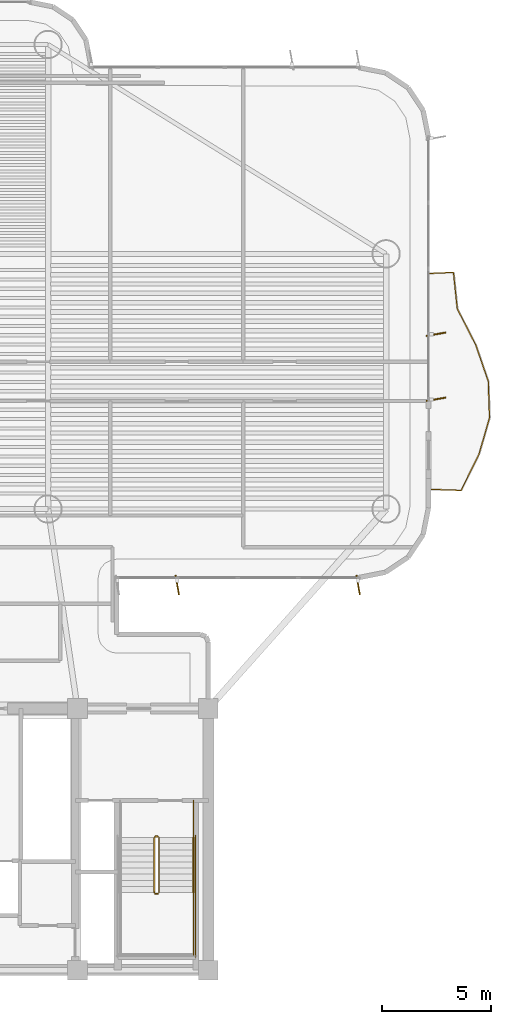
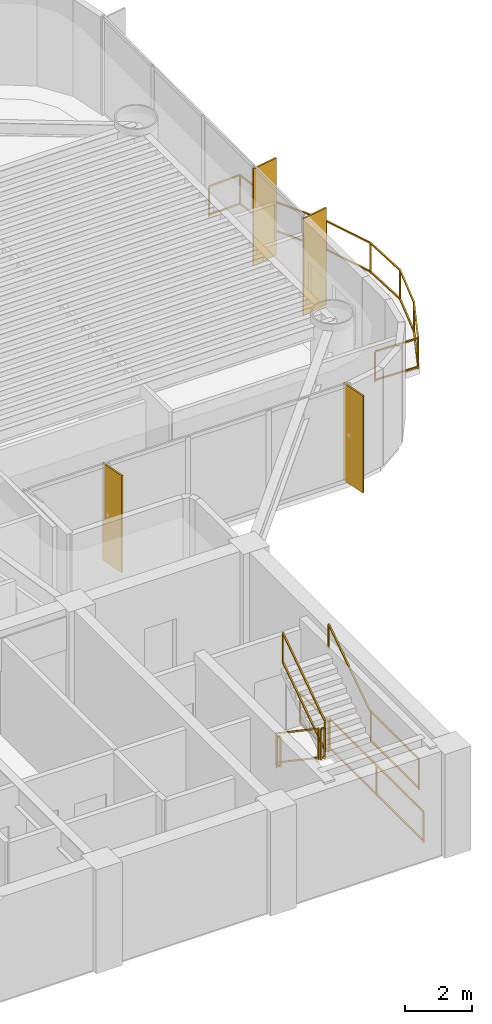
# One storey, part 15 of 16: 9 railings, 4 shading devices.
"""IFC4 building model written with IfcOpenShell, lengths in metres."""

from ifc_helpers import new_model, si_unit, direction, frame, origin, origin_2d, place, context, subcontext, project, spatial, rectangle, extrude, source, transform, mapped, material, layer, layer_set, material_profile, profile_set, type_object, element, save


model = new_model("IFC4")

# Units and contexts
model_context = context("Model", 3, precision=1e-05, world=origin(), true_north=direction((0.0, 1.0)))
body_context = subcontext(model_context, "Body", "Model", "MODEL_VIEW")
ifc_project = project(units=[si_unit("LENGTHUNIT", "METRE"), si_unit("AREAUNIT", "SQUARE_METRE"), si_unit("VOLUMEUNIT", "CUBIC_METRE"), si_unit("PLANEANGLEUNIT", "RADIAN"), si_unit("MASSUNIT", "GRAM", prefix="KILO")], contexts=[model_context])

# Site, building, storey
site_placement = place(None, origin())
site = spatial("IfcSite", under=ifc_project, at=site_placement, CompositionType="ELEMENT")
building_placement = place(site_placement, origin())
building = spatial("IfcBuilding", under=site, at=building_placement, Name="Brelvock Crest Care Tower", CompositionType="ELEMENT")
storey_placement = place(building_placement, frame((0.0, 0.0, 112.5)))
storey = spatial("IfcBuildingStorey", under=building, at=storey_placement, Name="L28", CompositionType="ELEMENT", Elevation=112.5)

# Railings
ifc_material_1 = material(Name="Dark Glass Double Glazed Low-E", Category="glass")
ifc_layer_1 = layer(ifc_material_1, 0.06005859375, Name="RL-BAL1")
ifc_layer_set_1 = layer_set([ifc_layer_1], Name="Dark Glass Double Glazed Low-E")
railing_type_1 = type_object("IfcRailingType", Name="RL-BAL1", PredefinedType="BALUSTRADE", material=ifc_layer_set_1)
railing_1_placement = place(storey_placement, frame((58.139892578125, 28.050048828125, 0.00390625)))
element("IfcRailing", 1, at=railing_1_placement, inside=storey, type_object=railing_type_1, Name="L28 Safety Balustrade WB-E", PredefinedType="BALUSTRADE", context=body_context, shape_type="SweptSolid", body=[
    extrude(rectangle(XDim=0.048095703125, YDim=0.048095703125, at=origin_2d()), frame((0.001953125, 0.0, 1.09619140625), z_axis=(0.999404999824, -0.034491249994, 0.0), x_axis=(0.034491249994, 0.999404999824, 0.0)), (0.0, 0.0, 1.0), 1.447021484375),
    extrude(rectangle(XDim=0.048095703125, YDim=0.048095703125, at=origin_2d()), frame((0.001953125, 0.0, 0.054931640625), z_axis=(0.999404999824, -0.034491249994, 0.0), x_axis=(0.034491249994, 0.999404999824, 0.0)), (0.0, 0.0, 1.0), 1.447021484375),
    extrude(rectangle(XDim=0.048095703125, YDim=0.048095703125, at=origin_2d()), frame((1.451171875, -0.04833984375, 1.09619140625), z_axis=(0.442214310765, 0.896909417586, 0.0), x_axis=(-0.896909417586, 0.442214310765, 0.0)), (0.0, 0.0, 1.0), 1.854248046875),
    extrude(rectangle(XDim=0.048095703125, YDim=0.048095703125, at=origin_2d()), frame((1.451171875, -0.04833984375, 0.054931640625), z_axis=(0.442214310765, 0.896909417586, 0.0), x_axis=(-0.896909417586, 0.442214310765, 0.0)), (0.0, 0.0, 1.0), 1.854248046875),
    extrude(rectangle(XDim=0.048095703125, YDim=0.048095703125, at=origin_2d()), frame((2.2724609375, 1.61865234375, 1.09619140625), z_axis=(0.277935062116, 0.960599865317, 0.0), x_axis=(-0.960599865317, 0.277935062116, 0.0)), (0.0, 0.0, 1.0), 1.73095703125),
    extrude(rectangle(XDim=0.048095703125, YDim=0.048095703125, at=origin_2d()), frame((2.2724609375, 1.61865234375, 0.054931640625), z_axis=(0.277935062116, 0.960599865317, 0.0), x_axis=(-0.960599865317, 0.277935062116, 0.0)), (0.0, 0.0, 1.0), 1.73095703125),
    extrude(rectangle(XDim=0.048095703125, YDim=0.048095703125, at=origin_2d()), frame((2.754150390625, 3.28515625, 1.09619140625), z_axis=(-0.034109333385, 0.999418107388, 0.0), x_axis=(-0.999418107388, -0.034109333385, 0.0)), (0.0, 0.0, 1.0), 1.663818359375),
    extrude(rectangle(XDim=0.048095703125, YDim=0.048095703125, at=origin_2d()), frame((2.754150390625, 3.28515625, 0.054931640625), z_axis=(-0.034109333385, 0.999418107388, 0.0), x_axis=(-0.999418107388, -0.034109333385, 0.0)), (0.0, 0.0, 1.0), 1.663818359375),
    extrude(rectangle(XDim=0.048095703125, YDim=0.048095703125, at=origin_2d()), frame((2.696533203125, 4.951904296875, 1.09619140625), z_axis=(-0.324735154132, 0.945804990297, 0.0), x_axis=(-0.945804990297, -0.324735154132, 0.0)), (0.0, 0.0, 1.0), 1.75830078125),
    extrude(rectangle(XDim=0.048095703125, YDim=0.048095703125, at=origin_2d()), frame((2.696533203125, 4.951904296875, 0.054931640625), z_axis=(-0.324735154132, 0.945804990297, 0.0), x_axis=(-0.945804990297, -0.324735154132, 0.0)), (0.0, 0.0, 1.0), 1.75830078125),
    extrude(rectangle(XDim=0.048095703125, YDim=0.048095703125, at=origin_2d()), frame((2.1240234375, 6.618408203125, 1.09619140625), z_axis=(-0.454816788854, 0.890585026023, 0.0), x_axis=(-0.890585026023, -0.454816788854, 0.0)), (0.0, 0.0, 1.0), 1.8671875),
    extrude(rectangle(XDim=0.048095703125, YDim=0.048095703125, at=origin_2d()), frame((2.1240234375, 6.618408203125, 0.054931640625), z_axis=(-0.454816788854, 0.890585026023, 0.0), x_axis=(-0.890585026023, -0.454816788854, 0.0)), (0.0, 0.0, 1.0), 1.8671875),
    extrude(rectangle(XDim=0.048095703125, YDim=0.048095703125, at=origin_2d()), frame((1.273681640625, 8.28515625, 1.09619140625), z_axis=(-0.103729188721, 0.994605577808, 0.0), x_axis=(-0.994605577808, -0.103729188721, 0.0)), (0.0, 0.0, 1.0), 1.671875),
    extrude(rectangle(XDim=0.048095703125, YDim=0.048095703125, at=origin_2d()), frame((1.273681640625, 8.28515625, 0.054931640625), z_axis=(-0.103729188721, 0.994605577808, 0.0), x_axis=(-0.994605577808, -0.103729188721, 0.0)), (0.0, 0.0, 1.0), 1.671875),
    extrude(rectangle(XDim=0.048095703125, YDim=0.048095703125, at=origin_2d()), frame((1.09814453125, 9.949951171875, 1.09619140625), z_axis=(-0.998966710972, -0.045447886318, 0.0), x_axis=(0.045447886318, -0.998966710972, 0.0)), (0.0, 0.0, 1.0), 1.09716796875),
    extrude(rectangle(XDim=0.048095703125, YDim=0.048095703125, at=origin_2d()), frame((1.09814453125, 9.949951171875, 0.054931640625), z_axis=(-0.998966710972, -0.045447886318, 0.0), x_axis=(0.045447886318, -0.998966710972, 0.0)), (0.0, 0.0, 1.0), 1.09716796875),
    extrude(rectangle(XDim=0.0419921875, YDim=0.0419921875, at=origin_2d()), origin(), (0.0, 0.0, 1.0), 1.070068359375),
    extrude(rectangle(XDim=0.0419921875, YDim=0.0419921875, at=origin_2d()), frame((1.4501953125, -0.050048828125, 0.0)), (0.0, 0.0, 1.0), 1.070068359375),
    extrude(rectangle(XDim=0.0419921875, YDim=0.0419921875, at=origin_2d()), frame((2.27197265625, 1.61669921875, 0.0)), (0.0, 0.0, 1.0), 1.070068359375),
    extrude(rectangle(XDim=0.0419921875, YDim=0.0419921875, at=origin_2d()), frame((2.754150390625, 3.283203125, 0.0)), (0.0, 0.0, 1.0), 1.070068359375),
    extrude(rectangle(XDim=0.0419921875, YDim=0.0419921875, at=origin_2d()), frame((2.697265625, 4.949951171875, 0.0)), (0.0, 0.0, 1.0), 1.070068359375),
    extrude(rectangle(XDim=0.0419921875, YDim=0.0419921875, at=origin_2d()), frame((2.125, 6.61669921875, 0.0)), (0.0, 0.0, 1.0), 1.070068359375),
    extrude(rectangle(XDim=0.0419921875, YDim=0.0419921875, at=origin_2d()), frame((1.27392578125, 8.283203125, 0.0)), (0.0, 0.0, 1.0), 1.070068359375),
    extrude(rectangle(XDim=0.0419921875, YDim=0.0419921875, at=origin_2d()), frame((1.10009765625, 9.949951171875, 0.0)), (0.0, 0.0, 1.0), 1.070068359375),
    extrude(rectangle(XDim=0.0419921875, YDim=0.0419921875, at=origin_2d()), frame((0.0, 9.89990234375, 0.0)), (0.0, 0.0, 1.0), 1.070068359375),
])
ifc_material_2 = material(Name="Steel Grade 350", Category="steel")
ifc_layer_2 = layer(ifc_material_2, 0.050048828125, Name="RL-STG1")
ifc_layer_set_2 = layer_set([ifc_layer_2], Name="Steel Grade 350")
railing_type_2 = type_object("IfcRailingType", Name="RL-STG1", PredefinedType="GUARDRAIL", material=ifc_layer_set_2)
railing_2_placement = place(storey_placement, frame((45.52001953125, 12.080078125, 0.18896484375)))
element("IfcRailing", 2, at=railing_2_placement, inside=storey, type_object=railing_type_2, Name="L28 ST-2 stair guard 1", PredefinedType="GUARDRAIL", context=body_context, shape_type="SweptSolid", body=[
    extrude(rectangle(XDim=0.048095703125, YDim=0.048095703125, at=origin_2d()), frame((0.0, -0.001708984375, 1.116943359375), z_axis=(0.0, -0.828861706735, 0.559453546873), x_axis=(1.0, 0.0, 0.0)), (0.0, 0.0, 1.0), 3.036376953125),
    extrude(rectangle(XDim=0.048095703125, YDim=0.048095703125, at=origin_2d()), frame((0.0, -0.001708984375, 0.05615234375), z_axis=(0.0, -0.828861706735, 0.559453546873), x_axis=(1.0, 0.0, 0.0)), (0.0, 0.0, 1.0), 3.036376953125),
    extrude(rectangle(XDim=0.0419921875, YDim=0.0419921875, at=origin_2d()), origin(), (0.0, 0.0, 1.0), 1.08984375),
    extrude(rectangle(XDim=0.0419921875, YDim=0.0419921875, at=origin_2d()), frame((0.0, -2.52001953125, 1.700927734375)), (0.0, 0.0, 1.0), 1.08984375),
])
railing_3_placement = place(storey_placement, frame((45.570068359375, 9.510009765625, 1.889892578125)))
element("IfcRailing", 3, at=railing_3_placement, inside=storey, type_object=railing_type_2, Name="L28 ST-2 stair guard 2", PredefinedType="GUARDRAIL", context=body_context, shape_type="SweptSolid", body=[
    extrude(rectangle(XDim=0.048095703125, YDim=0.048095703125, at=origin_2d()), frame((0.001953125, 0.0, 1.11572265625), z_axis=(1.0, 0.0, 0.0), x_axis=(0.0, 1.0, 0.0)), (0.0, 0.0, 1.0), 0.115966796875),
    extrude(rectangle(XDim=0.048095703125, YDim=0.048095703125, at=origin_2d()), frame((0.001953125, 0.0, 0.054931640625), z_axis=(1.0, 0.0, 0.0), x_axis=(0.0, 1.0, 0.0)), (0.0, 0.0, 1.0), 0.115966796875),
    extrude(rectangle(XDim=0.0419921875, YDim=0.0419921875, at=origin_2d()), origin(), (0.0, 0.0, 1.0), 1.08984375),
    extrude(rectangle(XDim=0.0419921875, YDim=0.0419921875, at=origin_2d()), frame((0.119873046875, 0.0, 0.0)), (0.0, 0.0, 1.0), 1.08984375),
])
railing_4_placement = place(storey_placement, frame((47.320068359375, 9.56005859375, 1.889892578125)))
element("IfcRailing", 4, at=railing_4_placement, inside=storey, type_object=railing_type_2, Name="L28 ST-2 stair guard 4", PredefinedType="GUARDRAIL", context=body_context, shape_type="SweptSolid", body=[
    extrude(rectangle(XDim=0.048095703125, YDim=0.048095703125, at=origin_2d()), frame((0.0, -0.001953125, 1.11572265625), z_axis=(0.0, -1.0, 0.0), x_axis=(1.0, 0.0, 0.0)), (0.0, 0.0, 1.0), 2.856201171875),
    extrude(rectangle(XDim=0.048095703125, YDim=0.048095703125, at=origin_2d()), frame((0.0, -0.001953125, 0.054931640625), z_axis=(0.0, -1.0, 0.0), x_axis=(1.0, 0.0, 0.0)), (0.0, 0.0, 1.0), 2.856201171875),
    extrude(rectangle(XDim=0.0419921875, YDim=0.0419921875, at=origin_2d()), origin(), (0.0, 0.0, 1.0), 1.08984375),
    extrude(rectangle(XDim=0.0419921875, YDim=0.0419921875, at=origin_2d()), frame((0.0, -2.860107421875, 0.0)), (0.0, 0.0, 1.0), 1.08984375),
])
railing_5_placement = place(storey_placement, frame((45.739990234375, 9.56005859375, 2.0791015625)))
element("IfcRailing", 5, at=railing_5_placement, inside=storey, type_object=railing_type_2, Name="L28 ST-2 stair guard 6", PredefinedType="GUARDRAIL", context=body_context, shape_type="SweptSolid", body=[
    extrude(rectangle(XDim=0.048095703125, YDim=0.048095703125, at=origin_2d()), frame((0.0, 0.001708984375, 1.116943359375), z_axis=(0.0, 0.828861706735, 0.559453546873), x_axis=(-1.0, 0.0, 0.0)), (0.0, 0.0, 1.0), 3.036376953125),
    extrude(rectangle(XDim=0.048095703125, YDim=0.048095703125, at=origin_2d()), frame((0.0, 0.001708984375, 0.05615234375), z_axis=(0.0, 0.828861706735, 0.559453546873), x_axis=(-1.0, 0.0, 0.0)), (0.0, 0.0, 1.0), 3.036376953125),
    extrude(rectangle(XDim=0.0419921875, YDim=0.0419921875, at=origin_2d()), origin(), (0.0, 0.0, 1.0), 1.08984375),
    extrude(rectangle(XDim=0.0419921875, YDim=0.0419921875, at=origin_2d()), frame((0.0, 2.52001953125, 1.700927734375)), (0.0, 0.0, 1.0), 1.08984375),
])
railing_6_placement = place(storey_placement, frame((45.570068359375, 12.1298828125, 0.0)))
element("IfcRailing", 6, at=railing_6_placement, inside=storey, type_object=railing_type_2, Name="L28 ST-2 stair guard 7", PredefinedType="GUARDRAIL", context=body_context, shape_type="SweptSolid", body=[
    extrude(rectangle(XDim=0.048095703125, YDim=0.048095703125, at=origin_2d()), frame((0.001953125, 0.0, 1.11572265625), z_axis=(1.0, 0.0, 0.0), x_axis=(0.0, 1.0, 0.0)), (0.0, 0.0, 1.0), 0.115966796875),
    extrude(rectangle(XDim=0.048095703125, YDim=0.048095703125, at=origin_2d()), frame((0.001953125, 0.0, 0.054931640625), z_axis=(1.0, 0.0, 0.0), x_axis=(0.0, 1.0, 0.0)), (0.0, 0.0, 1.0), 0.115966796875),
    extrude(rectangle(XDim=0.0419921875, YDim=0.0419921875, at=origin_2d()), origin(), (0.0, 0.0, 1.0), 1.08984375),
    extrude(rectangle(XDim=0.0419921875, YDim=0.0419921875, at=origin_2d()), frame((0.119873046875, 0.0, 0.0)), (0.0, 0.0, 1.0), 1.08984375),
])
railing_7_placement = place(storey_placement, frame((47.320068359375, 13.780029296875, 0.0)))
element("IfcRailing", 7, at=railing_7_placement, inside=storey, type_object=railing_type_2, Name="L28 ST-2 stair guard 9", PredefinedType="GUARDRAIL", context=body_context, shape_type="SweptSolid", body=[
    extrude(rectangle(XDim=0.048095703125, YDim=0.048095703125, at=origin_2d()), frame((0.0, -0.001953125, 1.11572265625), z_axis=(0.0, -1.0, 0.0), x_axis=(1.0, 0.0, 0.0)), (0.0, 0.0, 1.0), 1.696044921875),
    extrude(rectangle(XDim=0.048095703125, YDim=0.048095703125, at=origin_2d()), frame((0.0, -0.001953125, 0.054931640625), z_axis=(0.0, -1.0, 0.0), x_axis=(1.0, 0.0, 0.0)), (0.0, 0.0, 1.0), 1.696044921875),
    extrude(rectangle(XDim=0.0419921875, YDim=0.0419921875, at=origin_2d()), origin(), (0.0, 0.0, 1.0), 1.08984375),
    extrude(rectangle(XDim=0.0419921875, YDim=0.0419921875, at=origin_2d()), frame((0.0, -1.699951171875, 0.0)), (0.0, 0.0, 1.0), 1.08984375),
])
railing_8_placement = place(storey_placement, frame((47.419921875, 12.179931640625, 0.0)))
element("IfcRailing", 8, at=railing_8_placement, inside=storey, type_object=railing_type_2, Name="L28 ST-2 stair guard 11", PredefinedType="GUARDRAIL", context=body_context, shape_type="SweptSolid", body=[
    extrude(rectangle(XDim=0.048095703125, YDim=0.048095703125, at=origin_2d()), frame((0.0, -0.001953125, 1.11572265625), z_axis=(0.0, -1.0, 0.0), x_axis=(1.0, 0.0, 0.0)), (0.0, 0.0, 1.0), 5.575927734375),
    extrude(rectangle(XDim=0.048095703125, YDim=0.048095703125, at=origin_2d()), frame((0.0, -0.001953125, 0.054931640625), z_axis=(0.0, -1.0, 0.0), x_axis=(1.0, 0.0, 0.0)), (0.0, 0.0, 1.0), 5.575927734375),
    extrude(rectangle(XDim=0.0419921875, YDim=0.0419921875, at=origin_2d()), origin(), (0.0, 0.0, 1.0), 1.08984375),
    extrude(rectangle(XDim=0.0419921875, YDim=0.0419921875, at=origin_2d()), frame((0.0, -2.7900390625, 0.0)), (0.0, 0.0, 1.0), 1.08984375),
    extrude(rectangle(XDim=0.0419921875, YDim=0.0419921875, at=origin_2d()), frame((0.0, -5.579833984375, 0.0)), (0.0, 0.0, 1.0), 1.08984375),
])
ifc_layer_3 = layer(ifc_material_2, 0.048095703125, Name="RL-STH1")
ifc_layer_set_3 = layer_set([ifc_layer_3], Name="Steel Grade 350")
railing_type_3 = type_object("IfcRailingType", Name="RL-STH1", PredefinedType="HANDRAIL", material=ifc_layer_set_3)
railing_9_placement = place(storey_placement, frame((47.320068359375, 9.56005859375, 2.0791015625)))
element("IfcRailing", 9, at=railing_9_placement, inside=storey, type_object=railing_type_3, Name="L28 ST-2 stair handrail 2", PredefinedType="HANDRAIL", context=body_context, shape_type="SweptSolid", body=[
    extrude(rectangle(XDim=0.048095703125, YDim=0.048095703125, at=origin_2d()), frame((0.0, 0.001708984375, 0.876953125), z_axis=(0.0, 0.828861706735, 0.559453546873), x_axis=(-1.0, 0.0, 0.0)), (0.0, 0.0, 1.0), 3.036376953125),
    extrude(rectangle(XDim=0.0419921875, YDim=0.0419921875, at=origin_2d()), origin(), (0.0, 0.0, 1.0), 0.849853515625),
    extrude(rectangle(XDim=0.0419921875, YDim=0.0419921875, at=origin_2d()), frame((0.0, 2.52001953125, 1.700927734375)), (0.0, 0.0, 1.0), 0.849853515625),
])

# Shading devices
ifc_material_3 = material(Name="Aluminium 6063-T6", Category="aluminium")
ifc_material_profile = material_profile(ifc_material_3, rectangle(XDim=0.054931640625, YDim=0.89990234375, at=origin_2d()), Name="FIN55x900")
ifc_profile_set = profile_set([ifc_material_profile], Name="Aluminium 6063-T6")
shading_device_type = type_object("IfcShadingDeviceType", Name="SHD-FIN1", PredefinedType="USERDEFINED", material=ifc_profile_set)
shared_shape = source(origin(), body_context, "Body", "SweptSolid", [
    extrude(rectangle(XDim=0.054931640625, YDim=0.89990234375, at=origin_2d()), origin(), (0.0, 0.0, 1.0), 3.530029296875),
])
for number, where, z_axis, x_axis, name in (
    (10, (58.43994140625, 35.16259765625, 0.0), (0.0, 0.0, 1.0), (0.173648177667, -0.984807753012, 0.0), "L28 Vertical Sunshade Fin E39A-04"),
    (11, (58.43994140625, 32.179931640625, 0.0), (0.0, 0.0, 1.0), (0.173648177667, -0.984807753012, 0.0), "L28 Vertical Sunshade Fin E39A-05"),
    (12, (54.8701171875, 23.659912109375, 0.0), (0.0, 0.0, 1.0), (-0.984807753012, -0.173648177667, 0.0), "L28 Vertical Sunshade Fin E44-01"),
    (13, (46.574951171875, 23.659912109375, 0.0), (0.0, 0.0, 1.0), (-0.984807753012, -0.173648177667, 0.0), "L28 Vertical Sunshade Fin E44-04"),
):
    element("IfcShadingDevice", number, at=place(storey_placement, frame(where, z_axis=z_axis, x_axis=x_axis)), inside=storey, type_object=shading_device_type, Name=name, ObjectType="FIN", PredefinedType="USERDEFINED", context=body_context, shape_type="MappedRepresentation", body=[
        mapped(shared_shape, transform((0.0, 0.0, 0.0), x_axis=(1.0, 0.0, 0.0), y_axis=(0.0, 1.0, 0.0), z_axis=(0.0, 0.0, 1.0), scale=1.0)),
    ])

save(model, "model.ifc")
